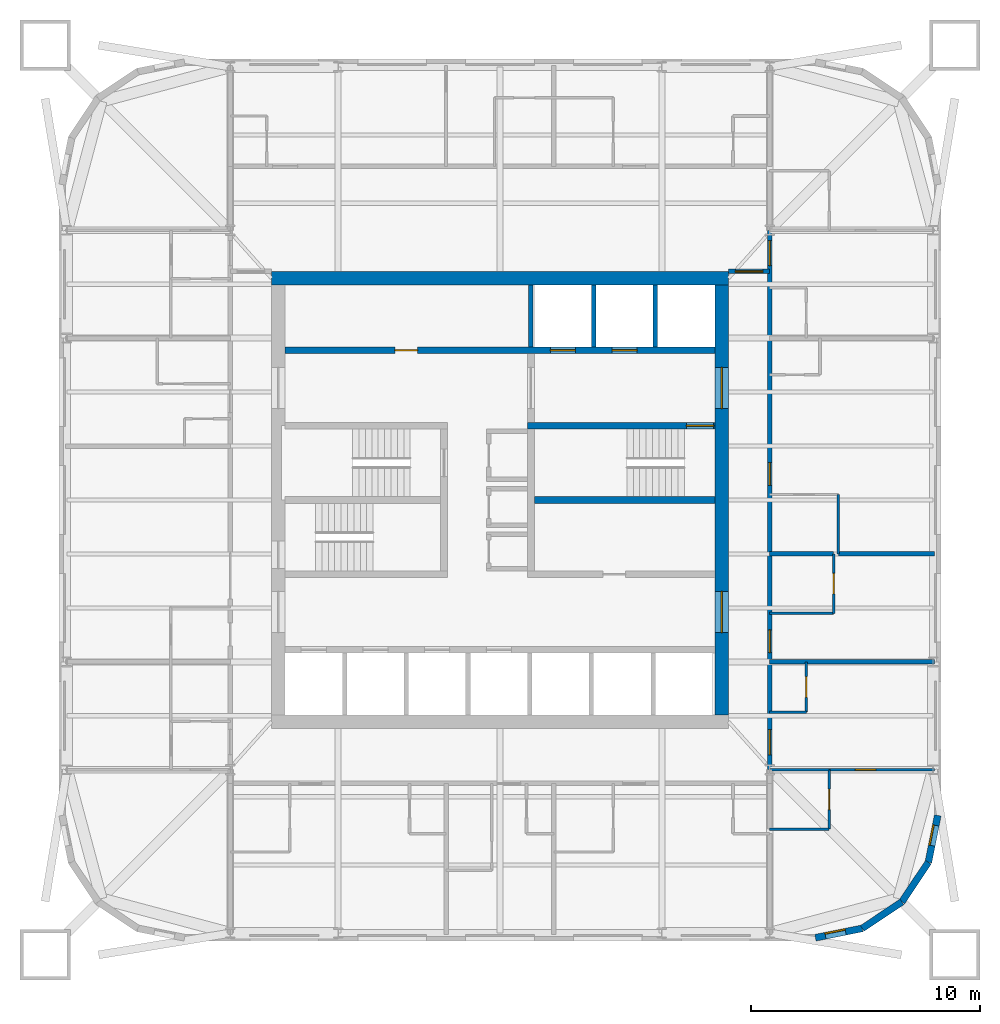
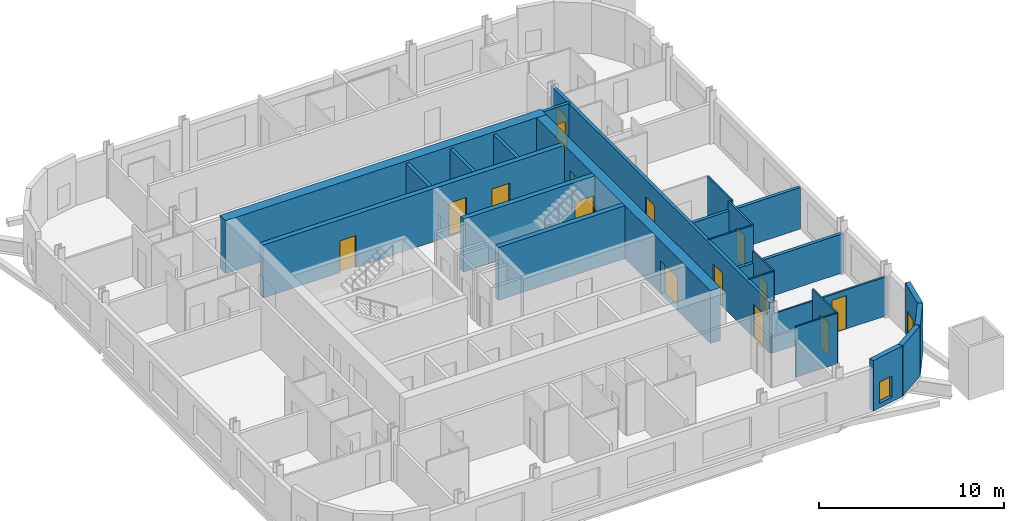
# One storey, part 5 of 8: 26 walls, 15 doors, 2 windows, 17 openings.
"""IFC4 building model written with IfcOpenShell, lengths in metres."""

from ifc_helpers import new_model, si_unit, direction, frame, frame_2d, origin, place, context, subcontext, project, spatial, rectangle, extrude, material, layer, layer_set, type_object, element, fill, save


model = new_model("IFC4")

# Units and contexts
model_context = context("Model", 3, precision=1e-05, world=origin(), true_north=direction((0.0, 1.0)))
body_context = subcontext(model_context, "Body", "Model", "MODEL_VIEW")
ifc_project = project(units=[si_unit("LENGTHUNIT", "METRE"), si_unit("AREAUNIT", "SQUARE_METRE"), si_unit("VOLUMEUNIT", "CUBIC_METRE"), si_unit("PLANEANGLEUNIT", "RADIAN"), si_unit("MASSUNIT", "GRAM", prefix="KILO")], contexts=[model_context])

# Site, building, storey
site_placement = place(None, origin())
site = spatial("IfcSite", under=ifc_project, at=site_placement, CompositionType="ELEMENT")
building_placement = place(site_placement, origin())
building = spatial("IfcBuilding", under=site, at=building_placement, Name="Turquesa Mirador Hotel Tower", CompositionType="ELEMENT")
storey_placement = place(building_placement, frame((0.0, 0.0, 165.300048828125)))
storey = spatial("IfcBuildingStorey", under=building, at=storey_placement, Name="L44", CompositionType="ELEMENT", Elevation=165.300048828125)

# Walls
ifc_material_1 = material(Name="Gypsum board on steel studs", Category="steel")
ifc_layer_1 = layer(ifc_material_1, 0.10009765625)
ifc_layer_set_1 = layer_set([ifc_layer_1], Name="BATHROOM WALL 100")
wall_type_1 = type_object("IfcWallType", Name="BATHROOM WALL 100", PredefinedType="PARTITIONING", material=ifc_layer_set_1)
wall_1_placement = place(storey_placement, frame((66.800048828125, 33.199951171875, 0.0), z_axis=(0.0, 0.0, 1.0), x_axis=(1.0, 0.0, 0.0)))
element("IfcWall", 1, at=wall_1_placement, inside=storey, type_object=wall_type_1, Name="Partition L44 001", PredefinedType="PARTITIONING", context=body_context, shape_type="SweptSolid", body=[
    extrude(rectangle(XDim=2.599853515625, YDim=0.10009765625, at=frame_2d((1.2998046875, 0.0))), origin(), (0.0, 0.0, 1.0), 2.572998046875),
])
wall_2_placement = place(storey_placement, frame((66.800048828125, 30.60009765625, 0.0), z_axis=(0.0, 0.0, 1.0), x_axis=(1.0, 0.0, 0.0)))
element("IfcWall", 2, at=wall_2_placement, inside=storey, type_object=wall_type_1, Name="Partition L44 005", PredefinedType="PARTITIONING", context=body_context, shape_type="SweptSolid", body=[
    extrude(rectangle(XDim=2.599853515625, YDim=0.10009765625, at=frame_2d((1.2998046875, 0.0))), origin(), (0.0, 0.0, 1.0), 3.329833984375),
])
wall_3_placement = place(storey_placement, frame((66.800048828125, 40.0400390625, 0.0), z_axis=(0.0, 0.0, 1.0), x_axis=(1.0, 0.0, 0.0)))
element("IfcWall", 3, at=wall_3_placement, inside=storey, type_object=wall_type_1, Name="Partition L44 015", PredefinedType="PARTITIONING", context=body_context, shape_type="SweptSolid", body=[
    extrude(rectangle(XDim=2.800048828125, YDim=0.10009765625, at=frame_2d((1.39990234375, 0.0))), origin(), (0.0, 0.0, 1.0), 3.329833984375),
])
wall_4_placement = place(storey_placement, frame((66.800048828125, 35.719970703125, 0.0), z_axis=(0.0, 0.0, 1.0), x_axis=(1.0, 0.0, 0.0)))
element("IfcWall", 4, at=wall_4_placement, inside=storey, type_object=wall_type_1, Name="Partition L44 018", PredefinedType="PARTITIONING", context=body_context, shape_type="SweptSolid", body=[
    extrude(rectangle(XDim=1.599853515625, YDim=0.10009765625, at=frame_2d((0.7998046875, 0.0))), origin(), (0.0, 0.0, 1.0), 3.329833984375),
])

# Wall, opening, door
wall_5_placement = place(storey_placement, frame((68.39990234375, 35.719970703125, 0.0), z_axis=(0.0, 0.0, 1.0), x_axis=(0.0, 1.0, 0.0)))
wall_5 = element("IfcWall", 5, at=wall_5_placement, inside=storey, type_object=wall_type_1, Name="Partition L44 062", PredefinedType="PARTITIONING", context=body_context, shape_type="SweptSolid", body=[
    extrude(rectangle(XDim=2.199951171875, YDim=0.10009765625, at=frame_2d((1.10009765625, 0.0))), origin(), (0.0, 0.0, 1.0), 3.329833984375),
])
opening_1_placement = place(wall_5_placement, frame((0.64990234375, 0.0, 0.0)))
opening_1 = element("IfcOpeningElement", 6, at=opening_1_placement, cuts=wall_5, Name="Opening D06", PredefinedType="OPENING", context=body_context, shape_type="SweptSolid", body=[
    extrude(rectangle(XDim=0.89990234375, YDim=2.10009765625, at=frame_2d((0.449951171875, 1.050048828125))), frame((0.0, 0.06005859375, 0.0), z_axis=(0.0, -1.0, 0.0), x_axis=(1.0, 0.0, 0.0)), (0.0, 0.0, 1.0), 0.1201171875),
])
ifc_material_2 = material(Name="Laminate door", Category="wood")
door_type_1 = type_object("IfcDoorType", Name="DOOR 900X2100 WC", OperationType="SINGLE_SWING_LEFT", PredefinedType="DOOR", material=ifc_material_2)
door_1_placement = place(opening_1_placement, origin())
door_1 = element("IfcDoor", 7, at=door_1_placement, inside=storey, type_object=door_type_1, Name="Door 4412W", OperationType="SINGLE_SWING_LEFT", OverallHeight=2.10009765625, OverallWidth=0.89990234375, PredefinedType="DOOR", context=body_context, shape_type="SweptSolid", body=[
    extrude(rectangle(XDim=0.89990234375, YDim=2.10009765625, at=frame_2d((0.449951171875, 1.050048828125))), frame((0.0, 0.02490234375, 0.0), z_axis=(0.0, -1.0, 0.0), x_axis=(1.0, 0.0, 0.0)), (0.0, 0.0, 1.0), 0.050048828125),
])
fill(opening_1, door_1)

wall_6_placement = place(storey_placement, frame((69.39990234375, 30.60009765625, 0.0), z_axis=(0.0, 0.0, 1.0), x_axis=(0.0, 1.0, 0.0)))
wall_6 = element("IfcWall", 8, at=wall_6_placement, inside=storey, type_object=wall_type_1, Name="Partition L44 065", PredefinedType="PARTITIONING", context=body_context, shape_type="SweptSolid", body=[
    extrude(rectangle(XDim=2.599853515625, YDim=0.10009765625, at=frame_2d((1.2998046875, 0.0))), origin(), (0.0, 0.0, 1.0), 3.329833984375),
])
opening_2_placement = place(wall_6_placement, frame((0.85009765625, 0.0, 0.0)))
opening_2 = element("IfcOpeningElement", 9, at=opening_2_placement, cuts=wall_6, Name="Opening D02", PredefinedType="OPENING", context=body_context, shape_type="SweptSolid", body=[
    extrude(rectangle(XDim=0.89990234375, YDim=2.10009765625, at=frame_2d((0.449951171875, 1.050048828125))), frame((0.0, 0.06005859375, 0.0), z_axis=(0.0, -1.0, 0.0), x_axis=(1.0, 0.0, 0.0)), (0.0, 0.0, 1.0), 0.1201171875),
])
ifc_material_3 = material(Name="Timber veneered door", Category="wood")
door_type_2 = type_object("IfcDoorType", Name="DOOR 900X2100 EN-SUITE", OperationType="SINGLE_SWING_RIGHT", PredefinedType="DOOR", material=ifc_material_3)
door_2_placement = place(opening_2_placement, origin())
door_2 = element("IfcDoor", 10, at=door_2_placement, inside=storey, type_object=door_type_2, Name="Door 4412B", OperationType="SINGLE_SWING_RIGHT", OverallHeight=2.10009765625, OverallWidth=0.89990234375, PredefinedType="DOOR", context=body_context, shape_type="SweptSolid", body=[
    extrude(rectangle(XDim=0.89990234375, YDim=2.10009765625, at=frame_2d((0.449951171875, 1.050048828125))), frame((0.0, 0.02490234375, 0.0), z_axis=(0.0, -1.0, 0.0), x_axis=(1.0, 0.0, 0.0)), (0.0, 0.0, 1.0), 0.050048828125),
])
fill(opening_2, door_2)

wall_7_placement = place(storey_placement, frame((69.60009765625, 40.0400390625, 0.0), z_axis=(0.0, 0.0, 1.0), x_axis=(0.0, 1.0, 0.0)))
wall_7 = element("IfcWall", 11, at=wall_7_placement, inside=storey, type_object=wall_type_1, Name="Partition L44 067", PredefinedType="PARTITIONING", context=body_context, shape_type="SweptSolid", body=[
    extrude(rectangle(XDim=2.599853515625, YDim=0.10009765625, at=frame_2d((1.2998046875, 0.0))), origin(), (0.0, 0.0, 1.0), 3.329833984375),
])
opening_3_placement = place(wall_7_placement, frame((0.85009765625, 0.0, 0.0)))
opening_3 = element("IfcOpeningElement", 12, at=opening_3_placement, cuts=wall_7, Name="Opening D02", PredefinedType="OPENING", context=body_context, shape_type="SweptSolid", body=[
    extrude(rectangle(XDim=0.89990234375, YDim=2.10009765625, at=frame_2d((0.449951171875, 1.050048828125))), frame((0.0, 0.06005859375, 0.0), z_axis=(0.0, -1.0, 0.0), x_axis=(1.0, 0.0, 0.0)), (0.0, 0.0, 1.0), 0.1201171875),
])
door_3_placement = place(opening_3_placement, origin())
door_3 = element("IfcDoor", 13, at=door_3_placement, inside=storey, type_object=door_type_2, Name="Door 4406B", OperationType="SINGLE_SWING_RIGHT", OverallHeight=2.10009765625, OverallWidth=0.89990234375, PredefinedType="DOOR", context=body_context, shape_type="SweptSolid", body=[
    extrude(rectangle(XDim=0.89990234375, YDim=2.10009765625, at=frame_2d((0.449951171875, 1.050048828125))), frame((0.0, 0.02490234375, 0.0), z_axis=(0.0, -1.0, 0.0), x_axis=(1.0, 0.0, 0.0)), (0.0, 0.0, 1.0), 0.050048828125),
])
fill(opening_3, door_3)

# Wall
wall_8_placement = place(storey_placement, frame((69.800048828125, 42.639892578125, 0.0), z_axis=(0.0, 0.0, 1.0), x_axis=(0.0, 1.0, 0.0)))
element("IfcWall", 14, at=wall_8_placement, inside=storey, type_object=wall_type_1, Name="Partition L44 068", PredefinedType="PARTITIONING", context=body_context, shape_type="SweptSolid", body=[
    extrude(rectangle(XDim=2.60009765625, YDim=0.10009765625, at=frame_2d((1.300048828125, 0.0))), origin(), (0.0, 0.0, 1.0), 3.329833984375),
])

# Wall, openings, doors
ifc_material_4 = material(Name="Concrete C50/60", Category="concrete")
ifc_layer_2 = layer(ifc_material_4, 0.300048828125)
ifc_layer_set_2 = layer_set([ifc_layer_2], Name="CORE INNER WALL 300")
wall_type_2 = type_object("IfcWallType", Name="CORE INNER WALL 300", PredefinedType="SHEAR", material=ifc_layer_set_2)
wall_9_placement = place(storey_placement, frame((45.60009765625, 51.550048828125, 0.0), z_axis=(0.0, 0.0, 1.0), x_axis=(1.0, 0.0, 0.0)))
wall_9 = element("IfcWall", 15, at=wall_9_placement, inside=storey, type_object=wall_type_2, Name="Core wall NL", PredefinedType="SHEAR", context=body_context, shape_type="SweptSolid", body=[
    extrude(rectangle(XDim=18.7998046875, YDim=0.300048828125, at=frame_2d((9.39990234375, 0.0))), origin(), (0.0, 0.0, 1.0), 3.5),
])
opening_4_placement = place(wall_9_placement, frame((4.800048828125, 0.0, 0.0)))
opening_4 = element("IfcOpeningElement", 16, at=opening_4_placement, cuts=wall_9, Name="Opening D05", PredefinedType="OPENING", context=body_context, shape_type="SweptSolid", body=[
    extrude(rectangle(XDim=1.0, YDim=2.10009765625, at=frame_2d((0.5, 1.050048828125))), frame((0.0, 0.159912109375, 0.0), z_axis=(0.0, -1.0, 0.0), x_axis=(1.0, 0.0, 0.0)), (0.0, 0.0, 1.0), 0.320068359375),
])
opening_5_placement = place(wall_9_placement, frame((11.60009765625, 0.0, 0.0)))
opening_5 = element("IfcOpeningElement", 17, at=opening_5_placement, cuts=wall_9, Name="Opening LD", PredefinedType="OPENING", context=body_context, shape_type="SweptSolid", body=[
    extrude(rectangle(XDim=1.10009765625, YDim=2.199951171875, at=frame_2d((0.550048828125, 1.10009765625))), frame((0.0, 0.159912109375, 0.0), z_axis=(0.0, -1.0, 0.0), x_axis=(1.0, 0.0, 0.0)), (0.0, 0.0, 1.0), 0.320068359375),
])
opening_6_placement = place(wall_9_placement, frame((14.300048828125, 0.0, 0.0)))
opening_6 = element("IfcOpeningElement", 18, at=opening_6_placement, cuts=wall_9, Name="Opening LD", PredefinedType="OPENING", context=body_context, shape_type="SweptSolid", body=[
    extrude(rectangle(XDim=1.10009765625, YDim=2.199951171875, at=frame_2d((0.550048828125, 1.10009765625))), frame((0.0, 0.159912109375, 0.0), z_axis=(0.0, -1.0, 0.0), x_axis=(1.0, 0.0, 0.0)), (0.0, 0.0, 1.0), 0.320068359375),
])
ifc_material_5 = material(Name="Steel fire door", Category="steel")
door_type_3 = type_object("IfcDoorType", Name="DOOR 1000X2100 SERVICE", OperationType="SINGLE_SWING_LEFT", PredefinedType="DOOR", material=ifc_material_5)
door_4_placement = place(opening_4_placement, origin())
door_4 = element("IfcDoor", 19, at=door_4_placement, inside=storey, type_object=door_type_3, Name="Linen store door", OperationType="SINGLE_SWING_LEFT", OverallHeight=2.10009765625, OverallWidth=1.0, PredefinedType="DOOR", context=body_context, shape_type="SweptSolid", body=[
    extrude(rectangle(XDim=1.0, YDim=2.10009765625, at=frame_2d((0.5, 1.050048828125))), frame((0.0, 0.02490234375, 0.0), z_axis=(0.0, -1.0, 0.0), x_axis=(1.0, 0.0, 0.0)), (0.0, 0.0, 1.0), 0.050048828125),
])
fill(opening_4, door_4)
ifc_material_6 = material(Name="Stainless steel lift landing door", Category="steel")
door_type_4 = type_object("IfcDoorType", Name="LIFT LANDING DOOR 1100X2200", OperationType="SLIDING_TO_LEFT", PredefinedType="DOOR", material=ifc_material_6)
door_5_placement = place(opening_5_placement, origin())
door_5 = element("IfcDoor", 20, at=door_5_placement, inside=storey, type_object=door_type_4, Name="Lift S1 landing door", OperationType="SLIDING_TO_LEFT", OverallHeight=2.199951171875, OverallWidth=1.10009765625, PredefinedType="DOOR", context=body_context, shape_type="SweptSolid", body=[
    extrude(rectangle(XDim=1.10009765625, YDim=2.199951171875, at=frame_2d((0.550048828125, 1.10009765625))), frame((0.0, 0.02490234375, 0.0), z_axis=(0.0, -1.0, 0.0), x_axis=(1.0, 0.0, 0.0)), (0.0, 0.0, 1.0), 0.050048828125),
])
fill(opening_5, door_5)
door_6_placement = place(opening_6_placement, origin())
door_6 = element("IfcDoor", 21, at=door_6_placement, inside=storey, type_object=door_type_4, Name="Lift S2 landing door", OperationType="SLIDING_TO_LEFT", OverallHeight=2.199951171875, OverallWidth=1.10009765625, PredefinedType="DOOR", context=body_context, shape_type="SweptSolid", body=[
    extrude(rectangle(XDim=1.10009765625, YDim=2.199951171875, at=frame_2d((0.550048828125, 1.10009765625))), frame((0.0, 0.02490234375, 0.0), z_axis=(0.0, -1.0, 0.0), x_axis=(1.0, 0.0, 0.0)), (0.0, 0.0, 1.0), 0.050048828125),
])
fill(opening_6, door_6)

# Wall, opening, door
wall_10_placement = place(storey_placement, frame((56.199951171875, 48.25, 0.0), z_axis=(0.0, 0.0, 1.0), x_axis=(1.0, 0.0, 0.0)))
wall_10 = element("IfcWall", 22, at=wall_10_placement, inside=storey, type_object=wall_type_2, Name="Core wall MN-E", PredefinedType="SHEAR", context=body_context, shape_type="SweptSolid", body=[
    extrude(rectangle(XDim=8.199951171875, YDim=0.300048828125, at=frame_2d((4.10009765625, 0.0))), origin(), (0.0, 0.0, 1.0), 3.5),
])
opening_7_placement = place(wall_10_placement, frame((6.949951171875, 0.0, 0.0)))
opening_7 = element("IfcOpeningElement", 23, at=opening_7_placement, cuts=wall_10, Name="Opening D03", PredefinedType="OPENING", context=body_context, shape_type="SweptSolid", body=[
    extrude(rectangle(XDim=1.199951171875, YDim=2.199951171875, at=frame_2d((0.60009765625, 1.10009765625))), frame((0.0, 0.159912109375, 0.0), z_axis=(0.0, -1.0, 0.0), x_axis=(1.0, 0.0, 0.0)), (0.0, 0.0, 1.0), 0.320068359375),
])
ifc_material_7 = material(Name="Steel fire door", Category="steel")
door_type_5 = type_object("IfcDoorType", Name="DOOR 1200X2200 STAIR", OperationType="SINGLE_SWING_LEFT", PredefinedType="DOOR", material=ifc_material_7)
door_7_placement = place(opening_7_placement, origin())
door_7 = element("IfcDoor", 24, at=door_7_placement, inside=storey, type_object=door_type_5, Name="Stair ST3 door", OperationType="SINGLE_SWING_LEFT", OverallHeight=2.199951171875, OverallWidth=1.199951171875, PredefinedType="DOOR", context=body_context, shape_type="SweptSolid", body=[
    extrude(rectangle(XDim=1.199951171875, YDim=2.199951171875, at=frame_2d((0.60009765625, 1.10009765625))), frame((0.0, 0.02490234375, 0.0), z_axis=(0.0, -1.0, 0.0), x_axis=(1.0, 0.0, 0.0)), (0.0, 0.0, 1.0), 0.050048828125),
])
fill(opening_7, door_7)

# Walls
wall_11_placement = place(storey_placement, frame((56.5, 45.0, 0.0), z_axis=(0.0, 0.0, 1.0), x_axis=(1.0, 0.0, 0.0)))
element("IfcWall", 25, at=wall_11_placement, inside=storey, type_object=wall_type_2, Name="Core wall M0-E", PredefinedType="SHEAR", context=body_context, shape_type="SweptSolid", body=[
    extrude(rectangle(XDim=7.89990234375, YDim=0.300048828125, at=frame_2d((3.949951171875, 0.0))), origin(), (0.0, 0.0, 1.0), 3.5),
])
ifc_material_8 = material(Name="Concrete C50/60", Category="concrete")
ifc_layer_3 = layer(ifc_material_8, 0.60009765625)
ifc_layer_set_3 = layer_set([ifc_layer_3], Name="CORE WALL 600")
wall_type_3 = type_object("IfcWallType", Name="CORE WALL 600", PredefinedType="SHEAR", material=ifc_layer_set_3)
wall_12_placement = place(storey_placement, frame((45.0, 54.699951171875, 0.0), z_axis=(0.0, 0.0, 1.0), x_axis=(1.0, 0.0, 0.0)))
element("IfcWall", 26, at=wall_12_placement, inside=storey, type_object=wall_type_3, Name="Core wall N", PredefinedType="SHEAR", context=body_context, shape_type="SweptSolid", body=[
    extrude(rectangle(XDim=20.0, YDim=0.60009765625, at=frame_2d((10.0, 0.0))), origin(), (0.0, 0.0, 1.0), 3.5),
])

# Wall, openings, doors
wall_13_placement = place(storey_placement, frame((64.699951171875, 35.60009765625, 0.0), z_axis=(0.0, 0.0, 1.0), x_axis=(0.0, 1.0, 0.0)))
wall_13 = element("IfcWall", 27, at=wall_13_placement, inside=storey, type_object=wall_type_3, Name="Core wall E", PredefinedType="SHEAR", context=body_context, shape_type="SweptSolid", body=[
    extrude(rectangle(XDim=18.7998046875, YDim=0.60009765625, at=frame_2d((9.39990234375, 0.0))), origin(), (0.0, 0.0, 1.0), 3.5),
])
opening_8_placement = place(wall_13_placement, frame((13.39990234375, 0.0, 0.0)))
opening_8 = element("IfcOpeningElement", 28, at=opening_8_placement, cuts=wall_13, Name="Opening D04", PredefinedType="OPENING", context=body_context, shape_type="SweptSolid", body=[
    extrude(rectangle(XDim=1.800048828125, YDim=2.199951171875, at=frame_2d((0.89990234375, 1.10009765625))), frame((0.0, 0.31005859375, 0.0), z_axis=(0.0, -1.0, 0.0), x_axis=(1.0, 0.0, 0.0)), (0.0, 0.0, 1.0), 0.6201171875),
])
opening_9_placement = place(wall_13_placement, frame((3.60009765625, 0.0, 0.0)))
opening_9 = element("IfcOpeningElement", 29, at=opening_9_placement, cuts=wall_13, Name="Opening D04", PredefinedType="OPENING", context=body_context, shape_type="SweptSolid", body=[
    extrude(rectangle(XDim=1.800048828125, YDim=2.199951171875, at=frame_2d((0.89990234375, 1.10009765625))), frame((0.0, 0.31005859375, 0.0), z_axis=(0.0, -1.0, 0.0), x_axis=(1.0, 0.0, 0.0)), (0.0, 0.0, 1.0), 0.6201171875),
])
ifc_material_9 = material(Name="Steel fire door pair", Category="steel")
door_type_6 = type_object("IfcDoorType", Name="DOOR 1800X2200 PAIR", OperationType="DOUBLE_DOOR_SINGLE_SWING", PredefinedType="DOOR", material=ifc_material_9)
door_8_placement = place(opening_8_placement, origin())
door_8 = element("IfcDoor", 30, at=door_8_placement, inside=storey, type_object=door_type_6, Name="Firefighting lobby door", OperationType="DOUBLE_DOOR_SINGLE_SWING", OverallHeight=2.199951171875, OverallWidth=1.800048828125, PredefinedType="DOOR", context=body_context, shape_type="SweptSolid", body=[
    extrude(rectangle(XDim=1.800048828125, YDim=2.199951171875, at=frame_2d((0.89990234375, 1.10009765625))), frame((0.0, 0.02490234375, 0.0), z_axis=(0.0, -1.0, 0.0), x_axis=(1.0, 0.0, 0.0)), (0.0, 0.0, 1.0), 0.050048828125),
])
fill(opening_8, door_8)
door_9_placement = place(opening_9_placement, origin())
door_9 = element("IfcDoor", 31, at=door_9_placement, inside=storey, type_object=door_type_6, Name="South lift lobby door", OperationType="DOUBLE_DOOR_SINGLE_SWING", OverallHeight=2.199951171875, OverallWidth=1.800048828125, PredefinedType="DOOR", context=body_context, shape_type="SweptSolid", body=[
    extrude(rectangle(XDim=1.800048828125, YDim=2.199951171875, at=frame_2d((0.89990234375, 1.10009765625))), frame((0.0, 0.02490234375, 0.0), z_axis=(0.0, -1.0, 0.0), x_axis=(1.0, 0.0, 0.0)), (0.0, 0.0, 1.0), 0.050048828125),
])
fill(opening_9, door_9)

# Wall, opening, door
ifc_material_10 = material(Name="Fire-rated gypsum board on steel studs", Category="steel")
ifc_layer_4 = layer(ifc_material_10, 0.199951171875)
ifc_layer_set_4 = layer_set([ifc_layer_4], Name="CORRIDOR WALL 200")
wall_type_4 = type_object("IfcWallType", Name="CORRIDOR WALL 200", PredefinedType="PARTITIONING", material=ifc_layer_set_4)
wall_14_placement = place(storey_placement, frame((65.0, 55.0, 0.0), z_axis=(0.0, 0.0, 1.0), x_axis=(1.0, 0.0, 0.0)))
wall_14 = element("IfcWall", 32, at=wall_14_placement, inside=storey, type_object=wall_type_4, Name="Partition L44 022", PredefinedType="PARTITIONING", context=body_context, shape_type="SweptSolid", body=[
    extrude(rectangle(XDim=1.800048828125, YDim=0.199951171875, at=frame_2d((0.89990234375, 0.0))), origin(), (0.0, 0.0, 1.0), 3.329833984375),
])
opening_10_placement = place(wall_14_placement, frame((0.300048828125, 0.0, 0.0)))
opening_10 = element("IfcOpeningElement", 33, at=opening_10_placement, cuts=wall_14, Name="Opening D19", PredefinedType="OPENING", context=body_context, shape_type="SweptSolid", body=[
    extrude(rectangle(XDim=1.199951171875, YDim=2.199951171875, at=frame_2d((0.60009765625, 1.10009765625))), frame((0.0, 0.10986328125, 0.0), z_axis=(0.0, -1.0, 0.0), x_axis=(1.0, 0.0, 0.0)), (0.0, 0.0, 1.0), 0.219970703125),
])
ifc_material_11 = material(Name="Steel glazed fire door", Category="steel")
door_type_7 = type_object("IfcDoorType", Name="DOOR 1200X2200 FIRE DOOR GLAZED", OperationType="SINGLE_SWING_LEFT", PredefinedType="DOOR", material=ifc_material_11)
door_10_placement = place(opening_10_placement, origin())
door_10 = element("IfcDoor", 34, at=door_10_placement, inside=storey, type_object=door_type_7, Name="Door L44-C03-1", OperationType="SINGLE_SWING_LEFT", OverallHeight=2.199951171875, OverallWidth=1.199951171875, PredefinedType="DOOR", context=body_context, shape_type="SweptSolid", body=[
    extrude(rectangle(XDim=1.199951171875, YDim=2.199951171875, at=frame_2d((0.60009765625, 1.10009765625))), frame((0.0, 0.02490234375, 0.0), z_axis=(0.0, -1.0, 0.0), x_axis=(1.0, 0.0, 0.0)), (0.0, 0.0, 1.0), 0.050048828125),
])
fill(opening_10, door_10)

# Wall, openings, doors
wall_15_placement = place(storey_placement, frame((66.800048828125, 33.219970703125, 0.0), z_axis=(0.0, 0.0, 1.0), x_axis=(0.0, 1.0, 0.0)))
wall_15 = element("IfcWall", 35, at=wall_15_placement, inside=storey, type_object=wall_type_4, Name="Partition L44 058", PredefinedType="PARTITIONING", context=body_context, shape_type="SweptSolid", body=[
    extrude(rectangle(XDim=23.56005859375, YDim=0.199951171875, at=frame_2d((11.780029296875, 0.0))), origin(), (0.0, 0.0, 1.0), 3.329833984375),
])
opening_11_placement = place(wall_15_placement, frame((5.10009765625, 0.0, 0.0)))
opening_11 = element("IfcOpeningElement", 36, at=opening_11_placement, cuts=wall_15, Name="Opening D01", PredefinedType="OPENING", context=body_context, shape_type="SweptSolid", body=[
    extrude(rectangle(XDim=1.0, YDim=2.199951171875, at=frame_2d((0.5, 1.10009765625))), frame((0.0, 0.10986328125, 0.0), z_axis=(0.0, -1.0, 0.0), x_axis=(1.0, 0.0, 0.0)), (0.0, 0.0, 1.0), 0.219970703125),
])
opening_12_placement = place(wall_15_placement, frame((12.419921875, 0.0, 0.0)))
opening_12 = element("IfcOpeningElement", 37, at=opening_12_placement, cuts=wall_15, Name="Opening D01", PredefinedType="OPENING", context=body_context, shape_type="SweptSolid", body=[
    extrude(rectangle(XDim=1.0, YDim=2.199951171875, at=frame_2d((0.5, 1.10009765625))), frame((0.0, 0.10986328125, 0.0), z_axis=(0.0, -1.0, 0.0), x_axis=(1.0, 0.0, 0.0)), (0.0, 0.0, 1.0), 0.219970703125),
])
opening_13_placement = place(wall_15_placement, frame((22.030029296875, 0.0, 0.0)))
opening_13 = element("IfcOpeningElement", 38, at=opening_13_placement, cuts=wall_15, Name="Opening D15", PredefinedType="OPENING", context=body_context, shape_type="SweptSolid", body=[
    extrude(rectangle(XDim=1.10009765625, YDim=2.199951171875, at=frame_2d((0.550048828125, 1.10009765625))), frame((0.0, 0.10986328125, 0.0), z_axis=(0.0, -1.0, 0.0), x_axis=(1.0, 0.0, 0.0)), (0.0, 0.0, 1.0), 0.219970703125),
])
opening_14_placement = place(wall_15_placement, frame((0.6298828125, 0.0, 0.0)))
opening_14 = element("IfcOpeningElement", 39, at=opening_14_placement, cuts=wall_15, Name="Opening D15", PredefinedType="OPENING", context=body_context, shape_type="SweptSolid", body=[
    extrude(rectangle(XDim=1.10009765625, YDim=2.199951171875, at=frame_2d((0.550048828125, 1.10009765625))), frame((0.0, 0.10986328125, 0.0), z_axis=(0.0, -1.0, 0.0), x_axis=(1.0, 0.0, 0.0)), (0.0, 0.0, 1.0), 0.219970703125),
])
ifc_material_12 = material(Name="Timber veneered fire door", Category="wood")
door_type_8 = type_object("IfcDoorType", Name="DOOR 1000X2200 GUEST ENTRY", OperationType="SINGLE_SWING_LEFT", PredefinedType="DOOR", material=ifc_material_12)
door_11_placement = place(opening_11_placement, origin())
door_11 = element("IfcDoor", 40, at=door_11_placement, inside=storey, type_object=door_type_8, Name="Door 4406", OperationType="SINGLE_SWING_LEFT", OverallHeight=2.199951171875, OverallWidth=1.0, PredefinedType="DOOR", context=body_context, shape_type="SweptSolid", body=[
    extrude(rectangle(XDim=1.0, YDim=2.199951171875, at=frame_2d((0.5, 1.10009765625))), frame((0.0, 0.02490234375, 0.0), z_axis=(0.0, -1.0, 0.0), x_axis=(1.0, 0.0, 0.0)), (0.0, 0.0, 1.0), 0.050048828125),
])
fill(opening_11, door_11)
door_12_placement = place(opening_12_placement, origin())
door_12 = element("IfcDoor", 41, at=door_12_placement, inside=storey, type_object=door_type_8, Name="Door 4407", OperationType="SINGLE_SWING_LEFT", OverallHeight=2.199951171875, OverallWidth=1.0, PredefinedType="DOOR", context=body_context, shape_type="SweptSolid", body=[
    extrude(rectangle(XDim=1.0, YDim=2.199951171875, at=frame_2d((0.5, 1.10009765625))), frame((0.0, 0.02490234375, 0.0), z_axis=(0.0, -1.0, 0.0), x_axis=(1.0, 0.0, 0.0)), (0.0, 0.0, 1.0), 0.050048828125),
])
fill(opening_12, door_12)
ifc_material_13 = material(Name="Timber veneered fire door", Category="wood")
door_type_9 = type_object("IfcDoorType", Name="DOOR 1100X2200 SUITE ENTRY", OperationType="SINGLE_SWING_LEFT", PredefinedType="DOOR", material=ifc_material_13)
door_13_placement = place(opening_13_placement, origin())
door_13 = element("IfcDoor", 42, at=door_13_placement, inside=storey, type_object=door_type_9, Name="Door 4409", OperationType="SINGLE_SWING_LEFT", OverallHeight=2.199951171875, OverallWidth=1.10009765625, PredefinedType="DOOR", context=body_context, shape_type="SweptSolid", body=[
    extrude(rectangle(XDim=1.10009765625, YDim=2.199951171875, at=frame_2d((0.550048828125, 1.10009765625))), frame((0.0, 0.02490234375, 0.0), z_axis=(0.0, -1.0, 0.0), x_axis=(1.0, 0.0, 0.0)), (0.0, 0.0, 1.0), 0.050048828125),
])
fill(opening_13, door_13)
door_14_placement = place(opening_14_placement, origin())
door_14 = element("IfcDoor", 43, at=door_14_placement, inside=storey, type_object=door_type_9, Name="Door 4412", OperationType="SINGLE_SWING_LEFT", OverallHeight=2.199951171875, OverallWidth=1.10009765625, PredefinedType="DOOR", context=body_context, shape_type="SweptSolid", body=[
    extrude(rectangle(XDim=1.10009765625, YDim=2.199951171875, at=frame_2d((0.550048828125, 1.10009765625))), frame((0.0, 0.02490234375, 0.0), z_axis=(0.0, -1.0, 0.0), x_axis=(1.0, 0.0, 0.0)), (0.0, 0.0, 1.0), 0.050048828125),
])
fill(opening_14, door_14)

# Wall, opening, window
ifc_material_14 = material(Name="Limestone cladding on concrete block", Category="masonry")
ifc_layer_5 = layer(ifc_material_14, 0.300048828125)
ifc_layer_set_5 = layer_set([ifc_layer_5], Name="FACADE WALL 300 STONE SCREEN")
wall_type_5 = type_object("IfcWallType", Name="FACADE WALL 300 STONE SCREEN", PredefinedType="SOLIDWALL", material=ifc_layer_set_5)
wall_16_placement = place(storey_placement, frame((68.800048828125, 25.85009765625, 0.0), z_axis=(0.0, 0.0, 1.0), x_axis=(0.980787050784, 0.195081421501, 0.0)))
wall_16 = element("IfcWall", 44, at=wall_16_placement, inside=storey, type_object=wall_type_5, Name="Facade wall L44 00", PredefinedType="SOLIDWALL", context=body_context, shape_type="SweptSolid", body=[
    extrude(rectangle(XDim=2.08740234375, YDim=0.300048828125, at=frame_2d((1.043701171875, 0.0))), origin(), (0.0, 0.0, 1.0), 3.329833984375),
])
opening_15_placement = place(wall_16_placement, frame((0.443603515625, 0.0, 0.300048828125)))
opening_15 = element("IfcOpeningElement", 45, at=opening_15_placement, cuts=wall_16, Name="Opening WN22", PredefinedType="OPENING", context=body_context, shape_type="SweptSolid", body=[
    extrude(rectangle(XDim=0.89990234375, YDim=1.39990234375, at=frame_2d((0.449951171875, 0.699951171875))), frame((0.0, 0.159912109375, 0.0), z_axis=(0.0, -1.0, 0.0), x_axis=(1.0, 0.0, 0.0)), (0.0, 0.0, 1.0), 0.320068359375),
])
ifc_material_15 = material(Name="Ceramic-fritted laminated glass", Category="glass")
window_type = type_object("IfcWindowType", Name="FRITTED CORNER WINDOW 900X1400", PartitioningType="DOUBLE_PANEL_HORIZONTAL", PredefinedType="WINDOW", material=ifc_material_15)
window_1_placement = place(opening_15_placement, origin())
window_1 = element("IfcWindow", 46, at=window_1_placement, inside=storey, type_object=window_type, Name="Window L44", OverallHeight=1.39990234375, OverallWidth=0.89990234375, PartitioningType="SINGLE_PANEL", PredefinedType="WINDOW", context=body_context, shape_type="SweptSolid", body=[
    extrude(rectangle(XDim=0.89990234375, YDim=1.39990234375, at=frame_2d((0.449951171875, 0.699951171875))), frame((0.0, 0.130126953125, 0.0), z_axis=(0.0, -1.0, 0.0), x_axis=(1.0, 0.0, 0.0)), (0.0, 0.0, 1.0), 0.06005859375),
])
fill(opening_15, window_1)

# Walls
for number, where, z_axis, x_axis, name in (
    (47, (70.847412109375, 26.25732421875, 0.0), (0.0, 0.0, 1.0), (0.831474039234, 0.555563607591, 0.0), "Facade wall L44 01"),
    (48, (72.5830078125, 27.4169921875, 0.0), (0.0, 0.0, 1.0), (0.555563607591, 0.831474039234, 0.0), "Facade wall L44 02"),
):
    element("IfcWall", number, at=place(storey_placement, frame(where, z_axis=z_axis, x_axis=x_axis)), inside=storey, type_object=wall_type_5, Name=name, PredefinedType="SOLIDWALL", context=body_context, shape_type="SweptSolid", body=[
        extrude(rectangle(XDim=2.08740234375, YDim=0.300048828125, at=frame_2d((1.043701171875, 0.0))), origin(), (0.0, 0.0, 1.0), 3.329833984375),
    ])

# Wall, opening, window
wall_17_placement = place(storey_placement, frame((73.74267578125, 29.152587890625, 0.0), z_axis=(0.0, 0.0, 1.0), x_axis=(0.195081421501, 0.980787050784, 0.0)))
wall_17 = element("IfcWall", 49, at=wall_17_placement, inside=storey, type_object=wall_type_5, Name="Facade wall L44 03", PredefinedType="SOLIDWALL", context=body_context, shape_type="SweptSolid", body=[
    extrude(rectangle(XDim=2.08740234375, YDim=0.300048828125, at=frame_2d((1.043701171875, 0.0))), origin(), (0.0, 0.0, 1.0), 3.329833984375),
])
opening_16_placement = place(wall_17_placement, frame((0.74365234375, 0.0, 0.300048828125)))
opening_16 = element("IfcOpeningElement", 50, at=opening_16_placement, cuts=wall_17, Name="Opening WN22", PredefinedType="OPENING", context=body_context, shape_type="SweptSolid", body=[
    extrude(rectangle(XDim=0.89990234375, YDim=1.39990234375, at=frame_2d((0.449951171875, 0.699951171875))), frame((0.0, 0.159912109375, 0.0), z_axis=(0.0, -1.0, 0.0), x_axis=(1.0, 0.0, 0.0)), (0.0, 0.0, 1.0), 0.320068359375),
])
window_2_placement = place(opening_16_placement, origin())
window_2 = element("IfcWindow", 51, at=window_2_placement, inside=storey, type_object=window_type, Name="Window L44", OverallHeight=1.39990234375, OverallWidth=0.89990234375, PartitioningType="SINGLE_PANEL", PredefinedType="WINDOW", context=body_context, shape_type="SweptSolid", body=[
    extrude(rectangle(XDim=0.89990234375, YDim=1.39990234375, at=frame_2d((0.449951171875, 0.699951171875))), frame((0.0, 0.130126953125, 0.0), z_axis=(0.0, -1.0, 0.0), x_axis=(1.0, 0.0, 0.0)), (0.0, 0.0, 1.0), 0.06005859375),
])
fill(opening_16, window_2)

# Walls
ifc_material_16 = material(Name="Fire-rated gypsum shaft wall on steel studs", Category="steel")
ifc_layer_6 = layer(ifc_material_16, 0.199951171875)
ifc_layer_set_6 = layer_set([ifc_layer_6], Name="LIFT SHAFT DIVIDER 200")
wall_type_6 = type_object("IfcWallType", Name="LIFT SHAFT DIVIDER 200", PredefinedType="PARTITIONING", material=ifc_layer_set_6)
for number, where, z_axis, x_axis, name in (
    (52, (59.10009765625, 51.699951171875, 0.0), (0.0, 0.0, 1.0), (0.0, 1.0, 0.0), "Lift shaft divider"),
    (53, (61.800048828125, 51.699951171875, 0.0), (0.0, 0.0, 1.0), (0.0, 1.0, 0.0), "Lift shaft divider"),
    (54, (56.35009765625, 51.699951171875, 0.0), (0.0, 0.0, 1.0), (0.0, 1.0, 0.0), "Lift shaft divider"),
):
    element("IfcWall", number, at=place(storey_placement, frame(where, z_axis=z_axis, x_axis=x_axis)), inside=storey, type_object=wall_type_6, Name=name, PredefinedType="PARTITIONING", context=body_context, shape_type="SweptSolid", body=[
        extrude(rectangle(XDim=2.699951171875, YDim=0.199951171875, at=frame_2d((1.35009765625, 0.0))), origin(), (0.0, 0.0, 1.0), 3.329833984375),
    ])
ifc_material_17 = material(Name="Fire-rated gypsum board on steel studs", Category="steel")
ifc_layer_7 = layer(ifc_material_17, 0.199951171875)
ifc_layer_set_7 = layer_set([ifc_layer_7], Name="PARTY WALL 200")
wall_type_7 = type_object("IfcWallType", Name="PARTY WALL 200", PredefinedType="PARTITIONING", material=ifc_layer_set_7)
wall_18_placement = place(storey_placement, frame((66.800048828125, 42.639892578125, 0.0), z_axis=(0.0, 0.0, 1.0), x_axis=(1.0, 0.0, 0.0)))
element("IfcWall", 55, at=wall_18_placement, inside=storey, type_object=wall_type_7, Name="Partition L44 012", PredefinedType="PARTITIONING", context=body_context, shape_type="SweptSolid", body=[
    extrude(rectangle(XDim=2.800048828125, YDim=0.199951171875, at=frame_2d((1.39990234375, 0.0))), origin(), (0.0, 0.0, 1.0), 2.73046875),
])
wall_19_placement = place(storey_placement, frame((69.800048828125, 42.639892578125, 0.0), z_axis=(0.0, 0.0, 1.0), x_axis=(1.0, 0.0, 0.0)))
element("IfcWall", 56, at=wall_19_placement, inside=storey, type_object=wall_type_7, Name="Partition L44 013", PredefinedType="PARTITIONING", context=body_context, shape_type="SweptSolid", body=[
    extrude(rectangle(XDim=4.199951171875, YDim=0.199951171875, at=frame_2d((2.10009765625, 0.0))), origin(), (0.0, 0.0, 1.0), 2.73046875),
])
wall_20_placement = place(storey_placement, frame((66.800048828125, 37.919921875, 0.0), z_axis=(0.0, 0.0, 1.0), x_axis=(1.0, 0.0, 0.0)))
element("IfcWall", 57, at=wall_20_placement, inside=storey, type_object=wall_type_7, Name="Partition L44 017", PredefinedType="PARTITIONING", context=body_context, shape_type="SweptSolid", body=[
    extrude(rectangle(XDim=7.199951171875, YDim=0.199951171875, at=frame_2d((3.60009765625, 0.0))), origin(), (0.0, 0.0, 1.0), 2.572998046875),
])

# Wall, opening, door
ifc_material_18 = material(Name="Acoustic gypsum board on steel studs", Category="steel")
ifc_layer_8 = layer(ifc_material_18, 0.125)
ifc_layer_set_8 = layer_set([ifc_layer_8], Name="SUITE PARTITION 125")
wall_type_8 = type_object("IfcWallType", Name="SUITE PARTITION 125", PredefinedType="PARTITIONING", material=ifc_layer_set_8)
wall_21_placement = place(storey_placement, frame((69.39990234375, 33.199951171875, 0.0), z_axis=(0.0, 0.0, 1.0), x_axis=(1.0, 0.0, 0.0)))
wall_21 = element("IfcWall", 58, at=wall_21_placement, inside=storey, type_object=wall_type_8, Name="Partition L44 003", PredefinedType="PARTITIONING", context=body_context, shape_type="SweptSolid", body=[
    extrude(rectangle(XDim=4.60009765625, YDim=0.125, at=frame_2d((2.300048828125, 0.0))), origin(), (0.0, 0.0, 1.0), 2.572998046875),
])
opening_17_placement = place(wall_21_placement, frame((1.14990234375, 0.0, 0.0)))
opening_17 = element("IfcOpeningElement", 59, at=opening_17_placement, cuts=wall_21, Name="Opening D17", PredefinedType="OPENING", context=body_context, shape_type="SweptSolid", body=[
    extrude(rectangle(XDim=0.89990234375, YDim=2.199951171875, at=frame_2d((0.449951171875, 1.10009765625))), frame((0.0, 0.072509765625, 0.0), z_axis=(0.0, -1.0, 0.0), x_axis=(1.0, 0.0, 0.0)), (0.0, 0.0, 1.0), 0.14501953125),
])
ifc_material_19 = material(Name="Timber veneered door", Category="wood")
door_type_10 = type_object("IfcDoorType", Name="DOOR 900X2200 SUITE INTERNAL", OperationType="SINGLE_SWING_LEFT", PredefinedType="DOOR", material=ifc_material_19)
door_15_placement = place(opening_17_placement, origin())
door_15 = element("IfcDoor", 60, at=door_15_placement, inside=storey, type_object=door_type_10, Name="Door 4412R", OperationType="SINGLE_SWING_LEFT", OverallHeight=2.199951171875, OverallWidth=0.89990234375, PredefinedType="DOOR", context=body_context, shape_type="SweptSolid", body=[
    extrude(rectangle(XDim=0.89990234375, YDim=2.199951171875, at=frame_2d((0.449951171875, 1.10009765625))), frame((0.0, 0.02490234375, 0.0), z_axis=(0.0, -1.0, 0.0), x_axis=(1.0, 0.0, 0.0)), (0.0, 0.0, 1.0), 0.050048828125),
])
fill(opening_17, door_15)

save(model, "model.ifc")
